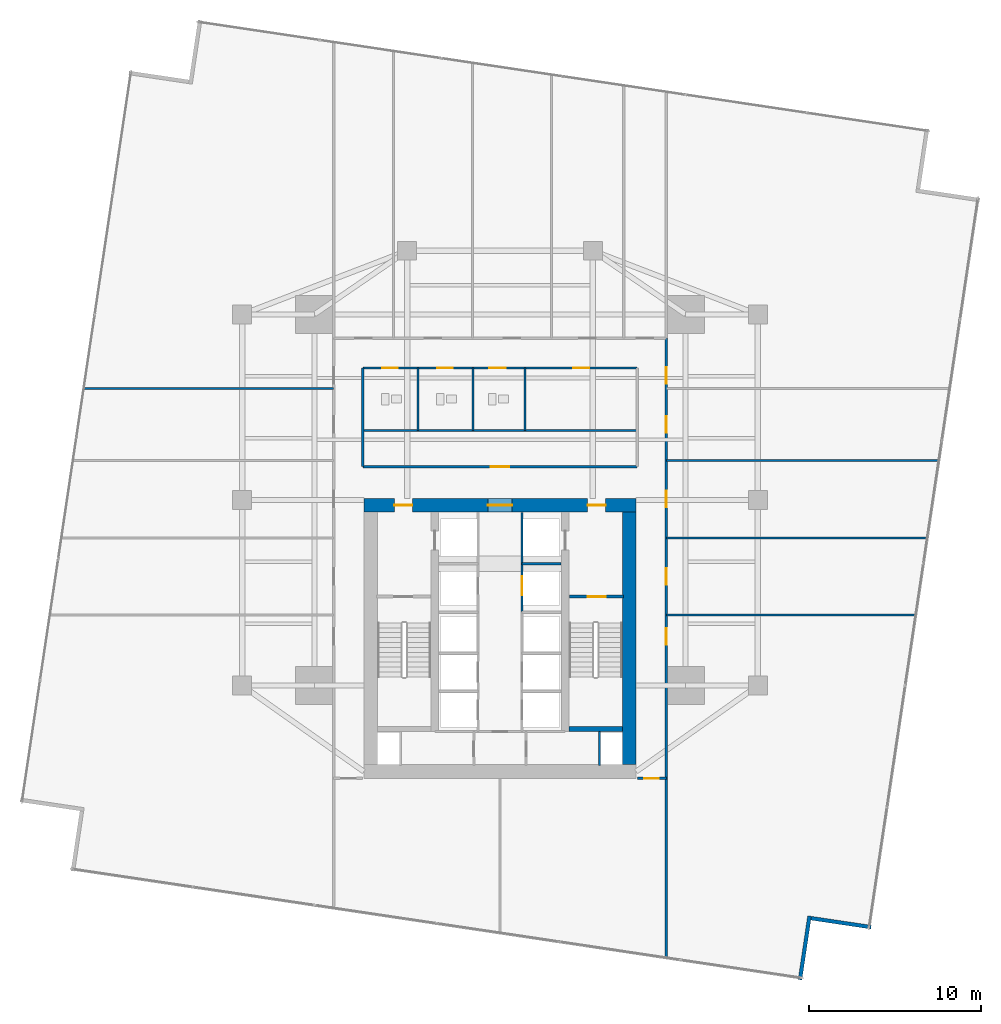
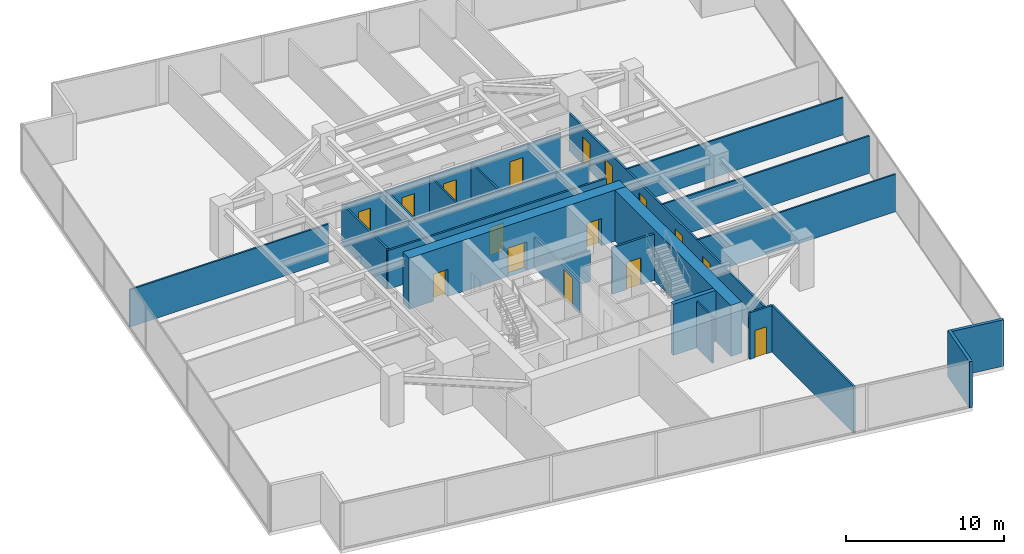
# One storey, part 26 of 29: 23 walls, 16 doors, 16 openings.
"""IFC4 building model written with IfcOpenShell, lengths in metres."""

from ifc_helpers import new_model, si_unit, direction, frame, frame_2d, origin, place, context, subcontext, project, spatial, rectangle, extrude, material, layer, layer_set, type_object, element, fill, save


model = new_model("IFC4")

# Units and contexts
model_context = context("Model", 3, precision=1e-05, world=origin(), true_north=direction((0.0, 1.0)))
body_context = subcontext(model_context, "Body", "Model", "MODEL_VIEW")
ifc_project = project(units=[si_unit("LENGTHUNIT", "METRE"), si_unit("AREAUNIT", "SQUARE_METRE"), si_unit("VOLUMEUNIT", "CUBIC_METRE"), si_unit("PLANEANGLEUNIT", "RADIAN"), si_unit("MASSUNIT", "GRAM", prefix="KILO")], contexts=[model_context])

# Site, building, storey
site_placement = place(None, origin())
site = spatial("IfcSite", under=ifc_project, at=site_placement, CompositionType="ELEMENT")
building_placement = place(site_placement, origin())
building = spatial("IfcBuilding", under=site, at=building_placement, Name="Krantzveldt Concourse Tower", CompositionType="ELEMENT")
storey_placement = place(building_placement, frame((0.0, 0.0, 76.35009765625)))
storey = spatial("IfcBuildingStorey", under=building, at=storey_placement, Name="L18", CompositionType="ELEMENT", Elevation=76.35009765625)

# Walls
ifc_material_1 = material(Name="Anodised aluminium 6063-T6", Category="aluminium")
ifc_layer_1 = layer(ifc_material_1, 0.219970703125, Name="Anodised aluminium 6063-T6", Category="aluminium")
ifc_layer_set_1 = layer_set([ifc_layer_1], Name="Anodised aluminium 6063-T6 (WL-EXT-NOTCH220)")
wall_type_1 = type_object("IfcWallType", Name="WL-EXT-NOTCH220", PredefinedType="ELEMENTEDWALL", material=ifc_layer_set_1)
wall_1_placement = place(storey_placement, frame((53.4560546875, -1.211669921875, 0.0), z_axis=(0.0, 0.0, 1.0), x_axis=(0.147852699435, 0.989009392913, 0.0)))
element("IfcWall", 1, at=wall_1_placement, inside=storey, type_object=wall_type_1, Name="EW-L18-NCH05", PredefinedType="ELEMENTEDWALL", context=body_context, shape_type="SweptSolid", body=[
    extrude(rectangle(XDim=3.7451171875, YDim=0.219970703125, at=frame_2d((1.87255859375, 0.0))), origin(), (0.0, 0.0, 1.0), 3.58984375),
])
wall_2_placement = place(storey_placement, frame((54.102294921875, 2.366943359375, 0.0), z_axis=(0.0, 0.0, 1.0), x_axis=(0.989015973204, -0.147808676155, 0.0)))
element("IfcWall", 2, at=wall_2_placement, inside=storey, type_object=wall_type_1, Name="EW-L18-NCH06", PredefinedType="ELEMENTEDWALL", context=body_context, shape_type="SweptSolid", body=[
    extrude(rectangle(XDim=3.52490234375, YDim=0.219970703125, at=frame_2d((1.762451171875, 0.0))), origin(), (0.0, 0.0, 1.0), 3.58984375),
])
ifc_material_2 = material(Name="Fire-rated gypsum plasterboard on steel stud", Category="steel")
ifc_layer_2 = layer(ifc_material_2, 0.1201171875, Name="Fire-rated gypsum plasterboard on steel stud", Category="steel")
ifc_layer_set_2 = layer_set([ifc_layer_2], Name="Fire-rated gypsum plasterboard on steel stud (WL-PART-120)")
wall_type_2 = type_object("IfcWallType", Name="WL-PART-120", PredefinedType="PARTITIONING", material=ifc_layer_set_2)
wall_3_placement = place(storey_placement, frame((28.02001953125, 30.739990234375, 0.0), z_axis=(0.0, 0.0, 1.0), x_axis=(1.0, 0.0, 0.0)))
element("IfcWall", 3, at=wall_3_placement, inside=storey, type_object=wall_type_2, Name="WP-L18-ISLM", PredefinedType="PARTITIONING", context=body_context, shape_type="SweptSolid", body=[
    extrude(rectangle(XDim=15.9599609375, YDim=0.1201171875, at=frame_2d((7.97998046875, 0.0))), origin(), (0.0, 0.0, 1.0), 3.0),
])
for number, where, z_axis, x_axis, name in (
    (4, (31.219970703125, 30.739990234375, 0.0), (0.0, 0.0, 1.0), (0.0, 1.0, 0.0), "WP-L18-WCD1"),
    (5, (34.419921875, 30.739990234375, 0.0), (0.0, 0.0, 1.0), (0.0, 1.0, 0.0), "WP-L18-WCD2"),
    (6, (37.449951171875, 30.739990234375, 0.0), (0.0, 0.0, 1.0), (0.0, 1.0, 0.0), "WP-L18-WCD3"),
):
    element("IfcWall", number, at=place(storey_placement, frame(where, z_axis=z_axis, x_axis=x_axis)), inside=storey, type_object=wall_type_2, Name=name, PredefinedType="PARTITIONING", context=body_context, shape_type="SweptSolid", body=[
        extrude(rectangle(XDim=3.639892578125, YDim=0.1201171875, at=frame_2d((1.81982421875, 0.0))), origin(), (0.0, 0.0, 1.0), 3.039794921875),
    ])
wall_4_placement = place(storey_placement, frame((11.784912109375, 33.199951171875, 0.0), z_axis=(0.0, 0.0, 1.0), x_axis=(1.0, 0.0, 0.0)))
element("IfcWall", 7, at=wall_4_placement, inside=storey, type_object=wall_type_2, Name="WP-L18-WD4", PredefinedType="PARTITIONING", context=body_context, shape_type="SweptSolid", body=[
    extrude(rectangle(XDim=14.53515625, YDim=0.1201171875, at=frame_2d((7.267578125, 0.0))), origin(), (0.0, 0.0, 1.0), 2.889892578125),
])
wall_5_placement = place(storey_placement, frame((45.679931640625, 20.0, 0.0), z_axis=(0.0, 0.0, 1.0), x_axis=(1.0, 0.0, 0.0)))
element("IfcWall", 8, at=wall_5_placement, inside=storey, type_object=wall_type_2, Name="WP-L18-ED1", PredefinedType="PARTITIONING", context=body_context, shape_type="SweptSolid", body=[
    extrude(rectangle(XDim=14.50537109375, YDim=0.1201171875, at=frame_2d((7.252685546875, 0.0))), origin(), (0.0, 0.0, 1.0), 2.889892578125),
])
wall_6_placement = place(storey_placement, frame((45.679931640625, 24.5, 0.0), z_axis=(0.0, 0.0, 1.0), x_axis=(1.0, 0.0, 0.0)))
element("IfcWall", 9, at=wall_6_placement, inside=storey, type_object=wall_type_2, Name="WP-L18-ED2", PredefinedType="PARTITIONING", context=body_context, shape_type="SweptSolid", body=[
    extrude(rectangle(XDim=15.177978515625, YDim=0.1201171875, at=frame_2d((7.5888671875, 0.0))), origin(), (0.0, 0.0, 1.0), 2.889892578125),
])
wall_7_placement = place(storey_placement, frame((45.679931640625, 29.0, 0.0), z_axis=(0.0, 0.0, 1.0), x_axis=(1.0, 0.0, 0.0)))
element("IfcWall", 10, at=wall_7_placement, inside=storey, type_object=wall_type_2, Name="WP-L18-ED3", PredefinedType="PARTITIONING", context=body_context, shape_type="SweptSolid", body=[
    extrude(rectangle(XDim=15.8505859375, YDim=0.1201171875, at=frame_2d((7.92529296875, 0.0))), origin(), (0.0, 0.0, 1.0), 2.889892578125),
])

# Wall, opening, door
ifc_layer_3 = layer(ifc_material_2, 0.139892578125, Name="Fire-rated gypsum plasterboard on steel stud", Category="steel")
ifc_layer_set_3 = layer_set([ifc_layer_3], Name="Fire-rated gypsum plasterboard on steel stud (WL-PART-140)")
wall_type_3 = type_object("IfcWallType", Name="WL-PART-140", PredefinedType="PARTITIONING", material=ifc_layer_set_3)
wall_8_placement = place(storey_placement, frame((28.02001953125, 28.639892578125, 0.0), z_axis=(0.0, 0.0, 1.0), x_axis=(1.0, 0.0, 0.0)))
wall_8 = element("IfcWall", 11, at=wall_8_placement, inside=storey, type_object=wall_type_3, Name="WP-L18-ISLS", PredefinedType="PARTITIONING", context=body_context, shape_type="SweptSolid", body=[
    extrude(rectangle(XDim=15.9599609375, YDim=0.139892578125, at=frame_2d((7.97998046875, 0.0))), origin(), (0.0, 0.0, 1.0), 3.0),
])
opening_1_placement = place(wall_8_placement, frame((7.455078125, 0.0, 0.0)))
opening_1 = element("IfcOpeningElement", 12, at=opening_1_placement, cuts=wall_8, Name="Opening D-IN105", PredefinedType="OPENING", context=body_context, shape_type="SweptSolid", body=[
    extrude(rectangle(XDim=1.050048828125, YDim=2.14990234375, at=frame_2d((0.52490234375, 1.074951171875))), frame((0.0, 0.080078125, 0.0), z_axis=(0.0, -1.0, 0.0), x_axis=(1.0, 0.0, 0.0)), (0.0, 0.0, 1.0), 0.159912109375),
])
ifc_material_3 = material(Name="Hardwood timber", Category="wood")
door_type_1 = type_object("IfcDoorType", Name="DR-INT-1050", OperationType="SINGLE_SWING_LEFT", PredefinedType="DOOR", material=ifc_material_3)
door_1_placement = place(opening_1_placement, origin())
door_1 = element("IfcDoor", 13, at=door_1_placement, inside=storey, type_object=door_type_1, Name="DR-L18-MIDB", OperationType="SINGLE_SWING_LEFT", OverallHeight=2.14990234375, OverallWidth=1.050048828125, PredefinedType="DOOR", context=body_context, shape_type="SweptSolid", body=[
    extrude(rectangle(XDim=1.050048828125, YDim=2.14990234375, at=frame_2d((0.52490234375, 1.074951171875))), frame((0.0, 0.02490234375, 0.0), z_axis=(0.0, -1.0, 0.0), x_axis=(1.0, 0.0, 0.0)), (0.0, 0.0, 1.0), 0.050048828125),
])
fill(opening_1, door_1)

# Wall, openings, doors
wall_9_placement = place(storey_placement, frame((28.02001953125, 34.3798828125, 0.0), z_axis=(0.0, 0.0, 1.0), x_axis=(1.0, 0.0, 0.0)))
wall_9 = element("IfcWall", 14, at=wall_9_placement, inside=storey, type_object=wall_type_3, Name="WP-L18-ISLN", PredefinedType="PARTITIONING", context=body_context, shape_type="SweptSolid", body=[
    extrude(rectangle(XDim=15.9599609375, YDim=0.139892578125, at=frame_2d((7.97998046875, 0.0))), origin(), (0.0, 0.0, 1.0), 3.0),
])
opening_2_placement = place(wall_9_placement, frame((1.1298828125, 0.0, 0.0)))
opening_2 = element("IfcOpeningElement", 15, at=opening_2_placement, cuts=wall_9, Name="Opening D-IN090", PredefinedType="OPENING", context=body_context, shape_type="SweptSolid", body=[
    extrude(rectangle(XDim=0.89990234375, YDim=2.10009765625, at=frame_2d((0.449951171875, 1.050048828125))), frame((0.0, 0.080078125, 0.0), z_axis=(0.0, -1.0, 0.0), x_axis=(1.0, 0.0, 0.0)), (0.0, 0.0, 1.0), 0.159912109375),
])
opening_3_placement = place(wall_9_placement, frame((4.330078125, 0.0, 0.0)))
opening_3 = element("IfcOpeningElement", 16, at=opening_3_placement, cuts=wall_9, Name="Opening D-IN090", PredefinedType="OPENING", context=body_context, shape_type="SweptSolid", body=[
    extrude(rectangle(XDim=0.89990234375, YDim=2.10009765625, at=frame_2d((0.449951171875, 1.050048828125))), frame((0.0, 0.080078125, 0.0), z_axis=(0.0, -1.0, 0.0), x_axis=(1.0, 0.0, 0.0)), (0.0, 0.0, 1.0), 0.159912109375),
])
opening_4_placement = place(wall_9_placement, frame((7.35498046875, 0.0, 0.0)))
opening_4 = element("IfcOpeningElement", 17, at=opening_4_placement, cuts=wall_9, Name="Opening D-IN095", PredefinedType="OPENING", context=body_context, shape_type="SweptSolid", body=[
    extrude(rectangle(XDim=0.949951171875, YDim=2.10009765625, at=frame_2d((0.47509765625, 1.050048828125))), frame((0.0, 0.080078125, 0.0), z_axis=(0.0, -1.0, 0.0), x_axis=(1.0, 0.0, 0.0)), (0.0, 0.0, 1.0), 0.159912109375),
])
opening_5_placement = place(wall_9_placement, frame((12.22998046875, 0.0, 0.0)))
opening_5 = element("IfcOpeningElement", 18, at=opening_5_placement, cuts=wall_9, Name="Opening D-IN095", PredefinedType="OPENING", context=body_context, shape_type="SweptSolid", body=[
    extrude(rectangle(XDim=0.949951171875, YDim=2.10009765625, at=frame_2d((0.47509765625, 1.050048828125))), frame((0.0, 0.080078125, 0.0), z_axis=(0.0, -1.0, 0.0), x_axis=(1.0, 0.0, 0.0)), (0.0, 0.0, 1.0), 0.159912109375),
])
door_type_2 = type_object("IfcDoorType", Name="DR-INT-900", OperationType="SINGLE_SWING_LEFT", PredefinedType="DOOR", material=ifc_material_3)
door_2_placement = place(opening_2_placement, origin())
door_2 = element("IfcDoor", 19, at=door_2_placement, inside=storey, type_object=door_type_2, Name="DR-L18-WCM", OperationType="SINGLE_SWING_LEFT", OverallHeight=2.10009765625, OverallWidth=0.89990234375, PredefinedType="DOOR", context=body_context, shape_type="SweptSolid", body=[
    extrude(rectangle(XDim=0.89990234375, YDim=2.10009765625, at=frame_2d((0.449951171875, 1.050048828125))), frame((0.0, 0.02490234375, 0.0), z_axis=(0.0, -1.0, 0.0), x_axis=(1.0, 0.0, 0.0)), (0.0, 0.0, 1.0), 0.050048828125),
])
fill(opening_2, door_2)
door_3_placement = place(opening_3_placement, origin())
door_3 = element("IfcDoor", 20, at=door_3_placement, inside=storey, type_object=door_type_2, Name="DR-L18-WCF", OperationType="SINGLE_SWING_RIGHT", OverallHeight=2.10009765625, OverallWidth=0.89990234375, PredefinedType="DOOR", context=body_context, shape_type="SweptSolid", body=[
    extrude(rectangle(XDim=0.89990234375, YDim=2.10009765625, at=frame_2d((0.449951171875, 1.050048828125))), frame((0.0, 0.02490234375, 0.0), z_axis=(0.0, -1.0, 0.0), x_axis=(1.0, 0.0, 0.0)), (0.0, 0.0, 1.0), 0.050048828125),
])
fill(opening_3, door_3)
door_type_3 = type_object("IfcDoorType", Name="DR-INT-950", OperationType="SINGLE_SWING_LEFT", PredefinedType="DOOR", material=ifc_material_3)
door_4_placement = place(opening_4_placement, origin())
door_4 = element("IfcDoor", 21, at=door_4_placement, inside=storey, type_object=door_type_3, Name="DR-L18-WCA", OperationType="SINGLE_SWING_LEFT", OverallHeight=2.10009765625, OverallWidth=0.949951171875, PredefinedType="DOOR", context=body_context, shape_type="SweptSolid", body=[
    extrude(rectangle(XDim=0.949951171875, YDim=2.10009765625, at=frame_2d((0.47509765625, 1.050048828125))), frame((0.0, 0.02490234375, 0.0), z_axis=(0.0, -1.0, 0.0), x_axis=(1.0, 0.0, 0.0)), (0.0, 0.0, 1.0), 0.050048828125),
])
fill(opening_4, door_4)
door_5_placement = place(opening_5_placement, origin())
door_5 = element("IfcDoor", 22, at=door_5_placement, inside=storey, type_object=door_type_3, Name="DR-L18-PNT", OperationType="SINGLE_SWING_RIGHT", OverallHeight=2.10009765625, OverallWidth=0.949951171875, PredefinedType="DOOR", context=body_context, shape_type="SweptSolid", body=[
    extrude(rectangle(XDim=0.949951171875, YDim=2.10009765625, at=frame_2d((0.47509765625, 1.050048828125))), frame((0.0, 0.02490234375, 0.0), z_axis=(0.0, -1.0, 0.0), x_axis=(1.0, 0.0, 0.0)), (0.0, 0.0, 1.0), 0.050048828125),
])
fill(opening_5, door_5)

# Wall
wall_10_placement = place(storey_placement, frame((28.02001953125, 28.639892578125, 0.0), z_axis=(0.0, 0.0, 1.0), x_axis=(0.0, 1.0, 0.0)))
element("IfcWall", 23, at=wall_10_placement, inside=storey, type_object=wall_type_3, Name="WP-L18-ISLW", PredefinedType="PARTITIONING", context=body_context, shape_type="SweptSolid", body=[
    extrude(rectangle(XDim=5.739990234375, YDim=0.139892578125, at=frame_2d((2.8701171875, 0.0))), origin(), (0.0, 0.0, 1.0), 3.139892578125),
])

# Wall, openings, doors
wall_11_placement = place(storey_placement, frame((45.679931640625, 10.5, 0.0), z_axis=(0.0, 0.0, 1.0), x_axis=(0.0, 1.0, 0.0)))
wall_11 = element("IfcWall", 24, at=wall_11_placement, inside=storey, type_object=wall_type_3, Name="WP-L18-CEAST", PredefinedType="PARTITIONING", context=body_context, shape_type="SweptSolid", body=[
    extrude(rectangle(XDim=25.6201171875, YDim=0.139892578125, at=frame_2d((12.81005859375, 0.0))), origin(), (0.0, 0.0, 1.0), 2.889892578125),
])
opening_6_placement = place(wall_11_placement, frame((7.77490234375, 0.0, 0.0)))
opening_6 = element("IfcOpeningElement", 25, at=opening_6_placement, cuts=wall_11, Name="Opening D-IN095", PredefinedType="OPENING", context=body_context, shape_type="SweptSolid", body=[
    extrude(rectangle(XDim=0.949951171875, YDim=2.10009765625, at=frame_2d((0.47509765625, 1.050048828125))), frame((0.0, 0.080078125, 0.0), z_axis=(0.0, -1.0, 0.0), x_axis=(1.0, 0.0, 0.0)), (0.0, 0.0, 1.0), 0.159912109375),
])
opening_7_placement = place(wall_11_placement, frame((11.27490234375, 0.0, 0.0)))
opening_7 = element("IfcOpeningElement", 26, at=opening_7_placement, cuts=wall_11, Name="Opening D-IN095", PredefinedType="OPENING", context=body_context, shape_type="SweptSolid", body=[
    extrude(rectangle(XDim=0.949951171875, YDim=2.10009765625, at=frame_2d((0.47509765625, 1.050048828125))), frame((0.0, 0.080078125, 0.0), z_axis=(0.0, -1.0, 0.0), x_axis=(1.0, 0.0, 0.0)), (0.0, 0.0, 1.0), 0.159912109375),
])
opening_8_placement = place(wall_11_placement, frame((15.77490234375, 0.0, 0.0)))
opening_8 = element("IfcOpeningElement", 27, at=opening_8_placement, cuts=wall_11, Name="Opening D-IN095", PredefinedType="OPENING", context=body_context, shape_type="SweptSolid", body=[
    extrude(rectangle(XDim=0.949951171875, YDim=2.10009765625, at=frame_2d((0.47509765625, 1.050048828125))), frame((0.0, 0.080078125, 0.0), z_axis=(0.0, -1.0, 0.0), x_axis=(1.0, 0.0, 0.0)), (0.0, 0.0, 1.0), 0.159912109375),
])
opening_9_placement = place(wall_11_placement, frame((20.125, 0.0, 0.0)))
opening_9 = element("IfcOpeningElement", 28, at=opening_9_placement, cuts=wall_11, Name="Opening D-IN095", PredefinedType="OPENING", context=body_context, shape_type="SweptSolid", body=[
    extrude(rectangle(XDim=0.949951171875, YDim=2.10009765625, at=frame_2d((0.47509765625, 1.050048828125))), frame((0.0, 0.080078125, 0.0), z_axis=(0.0, -1.0, 0.0), x_axis=(1.0, 0.0, 0.0)), (0.0, 0.0, 1.0), 0.159912109375),
])
opening_10_placement = place(wall_11_placement, frame((22.97509765625, 0.0, 0.0)))
opening_10 = element("IfcOpeningElement", 29, at=opening_10_placement, cuts=wall_11, Name="Opening D-IN095", PredefinedType="OPENING", context=body_context, shape_type="SweptSolid", body=[
    extrude(rectangle(XDim=0.949951171875, YDim=2.10009765625, at=frame_2d((0.47509765625, 1.050048828125))), frame((0.0, 0.080078125, 0.0), z_axis=(0.0, -1.0, 0.0), x_axis=(1.0, 0.0, 0.0)), (0.0, 0.0, 1.0), 0.159912109375),
])
door_6_placement = place(opening_6_placement, origin())
door_6 = element("IfcDoor", 30, at=door_6_placement, inside=storey, type_object=door_type_3, Name="DR-L18-ER1", OperationType="SINGLE_SWING_LEFT", OverallHeight=2.10009765625, OverallWidth=0.949951171875, PredefinedType="DOOR", context=body_context, shape_type="SweptSolid", body=[
    extrude(rectangle(XDim=0.949951171875, YDim=2.10009765625, at=frame_2d((0.47509765625, 1.050048828125))), frame((0.0, 0.02490234375, 0.0), z_axis=(0.0, -1.0, 0.0), x_axis=(1.0, 0.0, 0.0)), (0.0, 0.0, 1.0), 0.050048828125),
])
fill(opening_6, door_6)
door_7_placement = place(opening_7_placement, origin())
door_7 = element("IfcDoor", 31, at=door_7_placement, inside=storey, type_object=door_type_3, Name="DR-L18-ER2", OperationType="SINGLE_SWING_LEFT", OverallHeight=2.10009765625, OverallWidth=0.949951171875, PredefinedType="DOOR", context=body_context, shape_type="SweptSolid", body=[
    extrude(rectangle(XDim=0.949951171875, YDim=2.10009765625, at=frame_2d((0.47509765625, 1.050048828125))), frame((0.0, 0.02490234375, 0.0), z_axis=(0.0, -1.0, 0.0), x_axis=(1.0, 0.0, 0.0)), (0.0, 0.0, 1.0), 0.050048828125),
])
fill(opening_7, door_7)
door_8_placement = place(opening_8_placement, origin())
door_8 = element("IfcDoor", 32, at=door_8_placement, inside=storey, type_object=door_type_3, Name="DR-L18-ER3", OperationType="SINGLE_SWING_LEFT", OverallHeight=2.10009765625, OverallWidth=0.949951171875, PredefinedType="DOOR", context=body_context, shape_type="SweptSolid", body=[
    extrude(rectangle(XDim=0.949951171875, YDim=2.10009765625, at=frame_2d((0.47509765625, 1.050048828125))), frame((0.0, 0.02490234375, 0.0), z_axis=(0.0, -1.0, 0.0), x_axis=(1.0, 0.0, 0.0)), (0.0, 0.0, 1.0), 0.050048828125),
])
fill(opening_8, door_8)
door_9_placement = place(opening_9_placement, origin())
door_9 = element("IfcDoor", 33, at=door_9_placement, inside=storey, type_object=door_type_3, Name="DR-L18-ER4", OperationType="SINGLE_SWING_LEFT", OverallHeight=2.10009765625, OverallWidth=0.949951171875, PredefinedType="DOOR", context=body_context, shape_type="SweptSolid", body=[
    extrude(rectangle(XDim=0.949951171875, YDim=2.10009765625, at=frame_2d((0.47509765625, 1.050048828125))), frame((0.0, 0.02490234375, 0.0), z_axis=(0.0, -1.0, 0.0), x_axis=(1.0, 0.0, 0.0)), (0.0, 0.0, 1.0), 0.050048828125),
])
fill(opening_9, door_9)
door_10_placement = place(opening_10_placement, origin())
door_10 = element("IfcDoor", 34, at=door_10_placement, inside=storey, type_object=door_type_3, Name="DR-L18-ER5", OperationType="SINGLE_SWING_LEFT", OverallHeight=2.10009765625, OverallWidth=0.949951171875, PredefinedType="DOOR", context=body_context, shape_type="SweptSolid", body=[
    extrude(rectangle(XDim=0.949951171875, YDim=2.10009765625, at=frame_2d((0.47509765625, 1.050048828125))), frame((0.0, 0.02490234375, 0.0), z_axis=(0.0, -1.0, 0.0), x_axis=(1.0, 0.0, 0.0)), (0.0, 0.0, 1.0), 0.050048828125),
])
fill(opening_10, door_10)

# Wall, opening, door
wall_12_placement = place(storey_placement, frame((44.0, 10.5, 0.0), z_axis=(0.0, 0.0, 1.0), x_axis=(1.0, 0.0, 0.0)))
wall_12 = element("IfcWall", 35, at=wall_12_placement, inside=storey, type_object=wall_type_3, Name="WP-L18-CEBOT", PredefinedType="PARTITIONING", context=body_context, shape_type="SweptSolid", body=[
    extrude(rectangle(XDim=1.679931640625, YDim=0.139892578125, at=frame_2d((0.83984375, 0.0))), origin(), (0.0, 0.0, 1.0), 3.58984375),
])
opening_11_placement = place(wall_12_placement, frame((0.385009765625, 0.0, 0.0)))
opening_11 = element("IfcOpeningElement", 36, at=opening_11_placement, cuts=wall_12, Name="Opening D-IN085", PredefinedType="OPENING", context=body_context, shape_type="SweptSolid", body=[
    extrude(rectangle(XDim=0.85009765625, YDim=2.10009765625, at=frame_2d((0.425048828125, 1.050048828125))), frame((0.0, 0.080078125, 0.0), z_axis=(0.0, -1.0, 0.0), x_axis=(1.0, 0.0, 0.0)), (0.0, 0.0, 1.0), 0.159912109375),
])
door_type_4 = type_object("IfcDoorType", Name="DR-INT-850", OperationType="SINGLE_SWING_LEFT", PredefinedType="DOOR", material=ifc_material_3)
door_11_placement = place(opening_11_placement, origin())
door_11 = element("IfcDoor", 37, at=door_11_placement, inside=storey, type_object=door_type_4, Name="DR-L18-SR2", OperationType="SINGLE_SWING_LEFT", OverallHeight=2.10009765625, OverallWidth=0.85009765625, PredefinedType="DOOR", context=body_context, shape_type="SweptSolid", body=[
    extrude(rectangle(XDim=0.85009765625, YDim=2.10009765625, at=frame_2d((0.425048828125, 1.050048828125))), frame((0.0, 0.02490234375, 0.0), z_axis=(0.0, -1.0, 0.0), x_axis=(1.0, 0.0, 0.0)), (0.0, 0.0, 1.0), 0.050048828125),
])
fill(opening_11, door_11)

# Wall
wall_13_placement = place(storey_placement, frame((45.679931640625, 0.066650390625, 0.0), z_axis=(0.0, 0.0, 1.0), x_axis=(0.0, 1.0, 0.0)))
element("IfcWall", 38, at=wall_13_placement, inside=storey, type_object=wall_type_3, Name="WP-L18-SER", PredefinedType="PARTITIONING", context=body_context, shape_type="SweptSolid", body=[
    extrude(rectangle(XDim=10.433349609375, YDim=0.139892578125, at=frame_2d((5.216796875, 0.0))), origin(), (0.0, 0.0, 1.0), 3.58984375),
])

# Wall, opening, door
ifc_layer_4 = layer(ifc_material_2, 0.139892578125, Name="Fire-rated gypsum plasterboard on steel stud", Category="steel")
ifc_layer_set_4 = layer_set([ifc_layer_4], Name="Fire-rated gypsum plasterboard on steel stud (WL-PART-FR140)")
wall_type_4 = type_object("IfcWallType", Name="WL-PART-FR140", PredefinedType="PARTITIONING", material=ifc_layer_set_4)
wall_14_placement = place(storey_placement, frame((37.280029296875, 20.199951171875, 0.0), z_axis=(0.0, 0.0, 1.0), x_axis=(0.0, 1.0, 0.0)))
wall_14 = element("IfcWall", 39, at=wall_14_placement, inside=storey, type_object=wall_type_4, Name="WP-L18-SHNE", PredefinedType="PARTITIONING", context=body_context, shape_type="SweptSolid", body=[
    extrude(rectangle(XDim=5.780029296875, YDim=0.139892578125, at=frame_2d((2.89013671875, 0.0))), origin(), (0.0, 0.0, 1.0), 2.389892578125),
])
opening_12_placement = place(wall_14_placement, frame((0.949951171875, 0.0, 0.0)))
opening_12 = element("IfcOpeningElement", 40, at=opening_12_placement, cuts=wall_14, Name="Opening LD", PredefinedType="OPENING", context=body_context, shape_type="SweptSolid", body=[
    extrude(rectangle(XDim=1.10009765625, YDim=2.14990234375, at=frame_2d((0.550048828125, 1.074951171875))), frame((0.0, 0.080078125, 0.0), z_axis=(0.0, -1.0, 0.0), x_axis=(1.0, 0.0, 0.0)), (0.0, 0.0, 1.0), 0.159912109375),
])
ifc_material_4 = material(Name="Stainless steel 316L", Category="steel")
door_type_5 = type_object("IfcDoorType", Name="DR-SLIDE-LD1100", OperationType="DOUBLE_DOOR_SLIDING", PredefinedType="DOOR", material=ifc_material_4)
door_12_placement = place(opening_12_placement, origin())
door_12 = element("IfcDoor", 41, at=door_12_placement, inside=storey, type_object=door_type_5, Name="LD-L18-GL1", OperationType="DOUBLE_DOOR_SLIDING", OverallHeight=2.14990234375, OverallWidth=1.10009765625, PredefinedType="DOOR", context=body_context, shape_type="SweptSolid", body=[
    extrude(rectangle(XDim=1.10009765625, YDim=2.14990234375, at=frame_2d((0.550048828125, 1.074951171875))), frame((0.0, 0.02490234375, 0.0), z_axis=(0.0, -1.0, 0.0), x_axis=(1.0, 0.0, 0.0)), (0.0, 0.0, 1.0), 0.050048828125),
])
fill(opening_12, door_12)

# Walls
wall_15_placement = place(storey_placement, frame((37.280029296875, 23.0, 0.0), z_axis=(0.0, 0.0, 1.0), x_axis=(1.0, 0.0, 0.0)))
element("IfcWall", 42, at=wall_15_placement, inside=storey, type_object=wall_type_4, Name="WP-L18-GLH", PredefinedType="PARTITIONING", context=body_context, shape_type="SweptSolid", body=[
    extrude(rectangle(XDim=2.27001953125, YDim=0.139892578125, at=frame_2d((1.135009765625, 0.0))), origin(), (0.0, 0.0, 1.0), 2.389892578125),
])
wall_16_placement = place(storey_placement, frame((41.780029296875, 11.25, 0.0), z_axis=(0.0, 0.0, 1.0), x_axis=(0.0, 1.0, 0.0)))
element("IfcWall", 43, at=wall_16_placement, inside=storey, type_object=wall_type_4, Name="WP-L18-RSE", PredefinedType="PARTITIONING", context=body_context, shape_type="SweptSolid", body=[
    extrude(rectangle(XDim=1.969970703125, YDim=0.1201171875, at=frame_2d((0.98486328125, 0.0))), origin(), (0.0, 0.0, 1.0), 3.58984375),
])

# Wall, opening, door
ifc_layer_5 = layer(ifc_material_2, 0.159912109375, Name="Fire-rated gypsum plasterboard on steel stud", Category="steel")
ifc_layer_set_5 = layer_set([ifc_layer_5], Name="Fire-rated gypsum plasterboard on steel stud (WL-PART-FR160)")
wall_type_5 = type_object("IfcWallType", Name="WL-PART-FR160", PredefinedType="PARTITIONING", material=ifc_layer_set_5)
wall_17_placement = place(storey_placement, frame((40.0400390625, 21.080078125, 0.0), z_axis=(0.0, 0.0, 1.0), x_axis=(1.0, 0.0, 0.0)))
wall_17 = element("IfcWall", 44, at=wall_17_placement, inside=storey, type_object=wall_type_5, Name="WP-L18-ST2", PredefinedType="PARTITIONING", context=body_context, shape_type="SweptSolid", body=[
    extrude(rectangle(XDim=3.159912109375, YDim=0.159912109375, at=frame_2d((1.580078125, 0.0))), origin(), (0.0, 0.0, 1.0), 3.58984375),
])
opening_13_placement = place(wall_17_placement, frame((1.054931640625, 0.0, 0.0)))
opening_13 = element("IfcOpeningElement", 45, at=opening_13_placement, cuts=wall_17, Name="Opening D-FD105", PredefinedType="OPENING", context=body_context, shape_type="SweptSolid", body=[
    extrude(rectangle(XDim=1.050048828125, YDim=2.10009765625, at=frame_2d((0.52490234375, 1.050048828125))), frame((0.0, 0.08984375, 0.0), z_axis=(0.0, -1.0, 0.0), x_axis=(1.0, 0.0, 0.0)), (0.0, 0.0, 1.0), 0.179931640625),
])
ifc_material_5 = material(Name="Galvanised steel", Category="steel")
door_type_6 = type_object("IfcDoorType", Name="DR-FD120-1050", OperationType="SINGLE_SWING_LEFT", PredefinedType="DOOR", material=ifc_material_5)
door_13_placement = place(opening_13_placement, origin())
door_13 = element("IfcDoor", 46, at=door_13_placement, inside=storey, type_object=door_type_6, Name="DR-L18-ST2", OperationType="SINGLE_SWING_LEFT", OverallHeight=2.10009765625, OverallWidth=1.050048828125, PredefinedType="DOOR", context=body_context, shape_type="SweptSolid", body=[
    extrude(rectangle(XDim=1.050048828125, YDim=2.10009765625, at=frame_2d((0.52490234375, 1.050048828125))), frame((0.0, 0.02490234375, 0.0), z_axis=(0.0, -1.0, 0.0), x_axis=(1.0, 0.0, 0.0)), (0.0, 0.0, 1.0), 0.050048828125),
])
fill(opening_13, door_13)

# Wall
ifc_material_6 = material(Name="Concrete C50/60", Category="concrete")
ifc_layer_6 = layer(ifc_material_6, 0.300048828125, Name="Concrete C50/60", Category="concrete")
ifc_layer_set_6 = layer_set([ifc_layer_6], Name="Concrete C50/60 (WL-SHEAR-300)")
wall_type_6 = type_object("IfcWallType", Name="WL-SHEAR-300", PredefinedType="SHEAR", material=ifc_layer_set_6)
wall_18_placement = place(storey_placement, frame((40.02001953125, 13.3701171875, 0.0), z_axis=(0.0, 0.0, 1.0), x_axis=(1.0, 0.0, 0.0)))
element("IfcWall", 47, at=wall_18_placement, inside=storey, type_object=wall_type_6, Name="CW-L18-ST2S", PredefinedType="SHEAR", context=body_context, shape_type="SweptSolid", body=[
    extrude(rectangle(XDim=3.10009765625, YDim=0.300048828125, at=frame_2d((1.550048828125, 0.0))), origin(), (0.0, 0.0, 1.0), 3.949951171875),
])

# Wall, openings, doors
ifc_material_7 = material(Name="Concrete C60/75", Category="concrete")
ifc_layer_7 = layer(ifc_material_7, 0.800048828125, Name="Concrete C60/75", Category="concrete")
ifc_layer_set_7 = layer_set([ifc_layer_7], Name="Concrete C60/75 (WL-SHEAR-800)")
wall_type_7 = type_object("IfcWallType", Name="WL-SHEAR-800", PredefinedType="SHEAR", material=ifc_layer_set_7)
wall_19_placement = place(storey_placement, frame((28.080078125, 26.39990234375, 0.0), z_axis=(0.0, 0.0, 1.0), x_axis=(1.0, 0.0, 0.0)))
wall_19 = element("IfcWall", 48, at=wall_19_placement, inside=storey, type_object=wall_type_7, Name="CW-L18-N", PredefinedType="SHEAR", context=body_context, shape_type="SweptSolid", body=[
    extrude(rectangle(XDim=15.83984375, YDim=0.800048828125, at=frame_2d((7.919921875, 0.0))), origin(), (0.0, 0.0, 1.0), 3.949951171875),
])
opening_14_placement = place(wall_19_placement, frame((7.219970703125, 0.0, 0.0)))
opening_14 = element("IfcOpeningElement", 49, at=opening_14_placement, cuts=wall_19, Name="Opening D-DB140", PredefinedType="OPENING", context=body_context, shape_type="SweptSolid", body=[
    extrude(rectangle(XDim=1.39990234375, YDim=2.199951171875, at=frame_2d((0.699951171875, 1.10009765625))), frame((0.0, 0.41015625, 0.0), z_axis=(0.0, -1.0, 0.0), x_axis=(1.0, 0.0, 0.0)), (0.0, 0.0, 1.0), 0.820068359375),
])
opening_15_placement = place(wall_19_placement, frame((1.77490234375, 0.0, 0.0)))
opening_15 = element("IfcOpeningElement", 50, at=opening_15_placement, cuts=wall_19, Name="Opening D-FD105", PredefinedType="OPENING", context=body_context, shape_type="SweptSolid", body=[
    extrude(rectangle(XDim=1.050048828125, YDim=2.10009765625, at=frame_2d((0.52490234375, 1.050048828125))), frame((0.0, 0.41015625, 0.0), z_axis=(0.0, -1.0, 0.0), x_axis=(1.0, 0.0, 0.0)), (0.0, 0.0, 1.0), 0.820068359375),
])
opening_16_placement = place(wall_19_placement, frame((13.014892578125, 0.0, 0.0)))
opening_16 = element("IfcOpeningElement", 51, at=opening_16_placement, cuts=wall_19, Name="Opening D-FD105", PredefinedType="OPENING", context=body_context, shape_type="SweptSolid", body=[
    extrude(rectangle(XDim=1.050048828125, YDim=2.10009765625, at=frame_2d((0.52490234375, 1.050048828125))), frame((0.0, 0.41015625, 0.0), z_axis=(0.0, -1.0, 0.0), x_axis=(1.0, 0.0, 0.0)), (0.0, 0.0, 1.0), 0.820068359375),
])
door_type_7 = type_object("IfcDoorType", Name="DR-DBL-1400", OperationType="DOUBLE_DOOR_SINGLE_SWING", PredefinedType="DOOR", material=ifc_material_1)
door_14_placement = place(opening_14_placement, origin())
door_14 = element("IfcDoor", 52, at=door_14_placement, inside=storey, type_object=door_type_7, Name="DR-L18-LLB", OperationType="DOUBLE_DOOR_SINGLE_SWING", OverallHeight=2.199951171875, OverallWidth=1.39990234375, PredefinedType="DOOR", context=body_context, shape_type="SweptSolid", body=[
    extrude(rectangle(XDim=1.39990234375, YDim=2.199951171875, at=frame_2d((0.699951171875, 1.10009765625))), frame((0.0, 0.02490234375, 0.0), z_axis=(0.0, -1.0, 0.0), x_axis=(1.0, 0.0, 0.0)), (0.0, 0.0, 1.0), 0.050048828125),
])
fill(opening_14, door_14)
door_15_placement = place(opening_15_placement, origin())
door_15 = element("IfcDoor", 53, at=door_15_placement, inside=storey, type_object=door_type_6, Name="DR-L18-FFL1", OperationType="SINGLE_SWING_LEFT", OverallHeight=2.10009765625, OverallWidth=1.050048828125, PredefinedType="DOOR", context=body_context, shape_type="SweptSolid", body=[
    extrude(rectangle(XDim=1.050048828125, YDim=2.10009765625, at=frame_2d((0.52490234375, 1.050048828125))), frame((0.0, 0.02490234375, 0.0), z_axis=(0.0, -1.0, 0.0), x_axis=(1.0, 0.0, 0.0)), (0.0, 0.0, 1.0), 0.050048828125),
])
fill(opening_15, door_15)
door_16_placement = place(opening_16_placement, origin())
door_16 = element("IfcDoor", 54, at=door_16_placement, inside=storey, type_object=door_type_6, Name="DR-L18-FFL2", OperationType="SINGLE_SWING_RIGHT", OverallHeight=2.10009765625, OverallWidth=1.050048828125, PredefinedType="DOOR", context=body_context, shape_type="SweptSolid", body=[
    extrude(rectangle(XDim=1.050048828125, YDim=2.10009765625, at=frame_2d((0.52490234375, 1.050048828125))), frame((0.0, 0.02490234375, 0.0), z_axis=(0.0, -1.0, 0.0), x_axis=(1.0, 0.0, 0.0)), (0.0, 0.0, 1.0), 0.050048828125),
])
fill(opening_16, door_16)

# Wall
wall_20_placement = place(storey_placement, frame((43.52001953125, 11.300048828125, 0.0), z_axis=(0.0, 0.0, 1.0), x_axis=(0.0, 1.0, 0.0)))
element("IfcWall", 55, at=wall_20_placement, inside=storey, type_object=wall_type_7, Name="CW-L18-E", PredefinedType="SHEAR", context=body_context, shape_type="SweptSolid", body=[
    extrude(rectangle(XDim=14.699951171875, YDim=0.800048828125, at=frame_2d((7.35009765625, 0.0))), origin(), (0.0, 0.0, 1.0), 3.949951171875),
])

save(model, "model.ifc")
